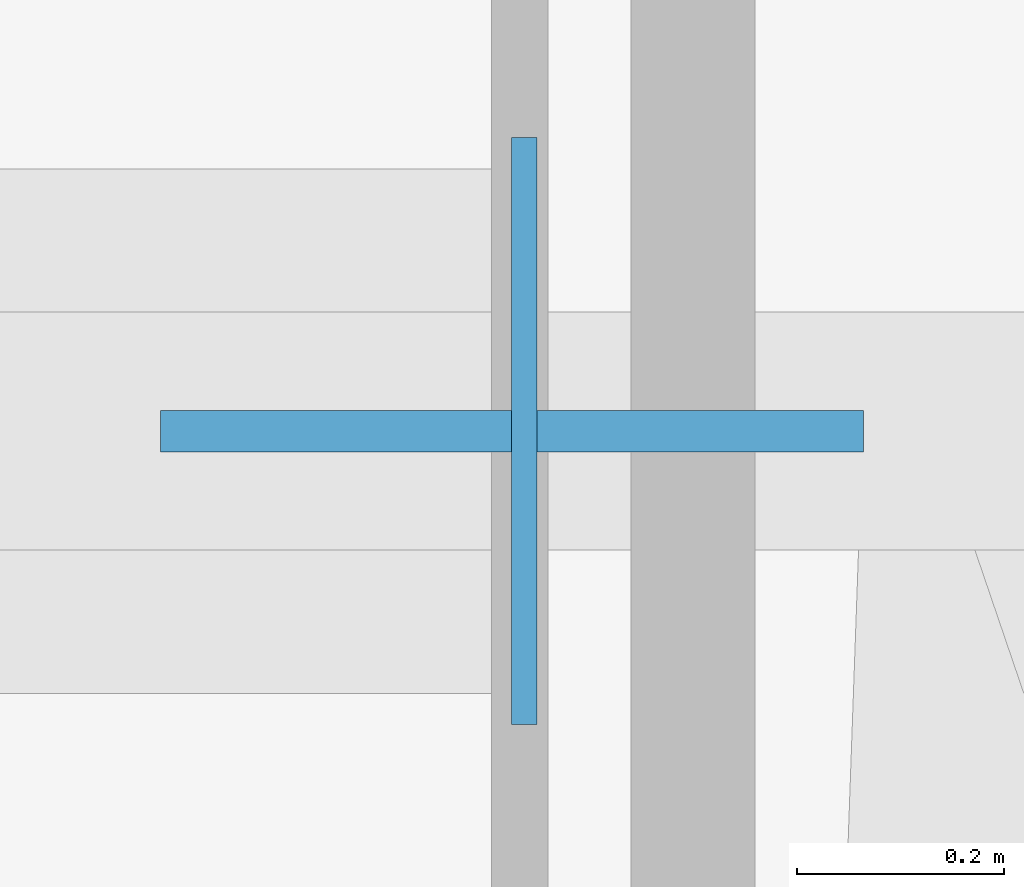
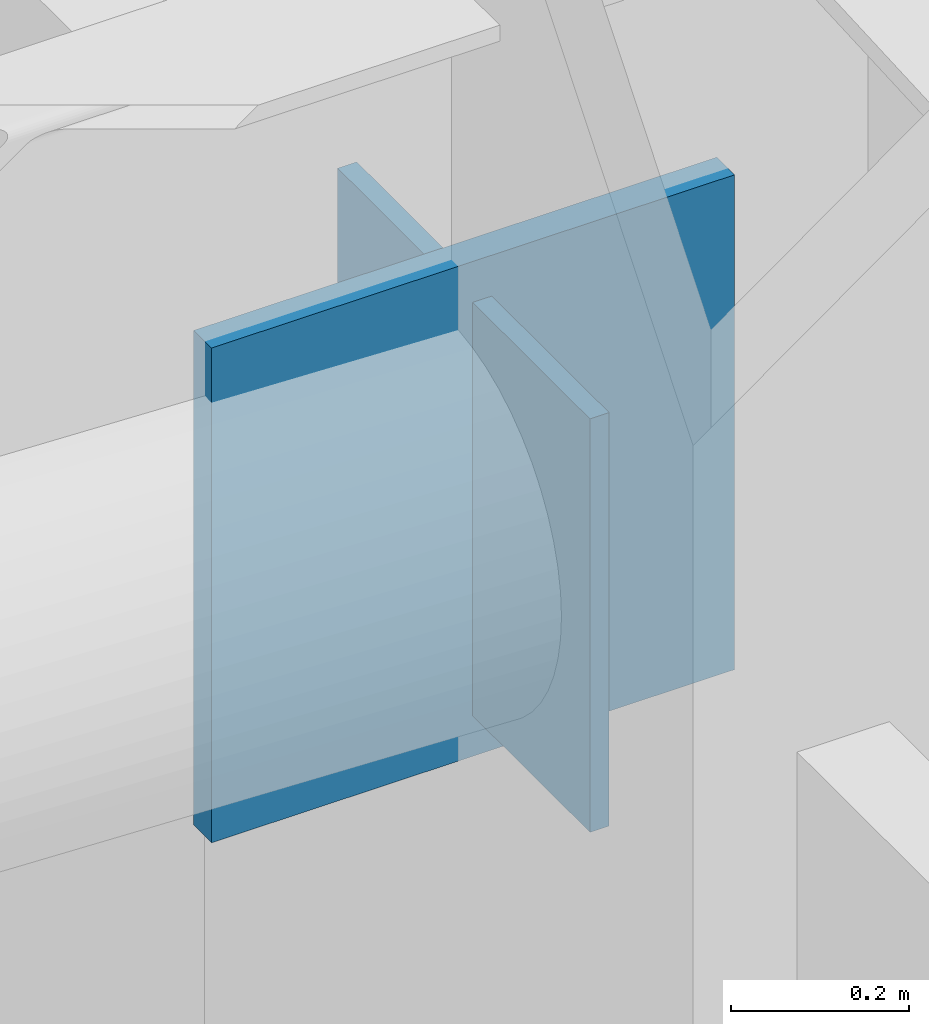
# One storey, part 10 of 18: 2 plates.
"""IFC4 building model written with IfcOpenShell, lengths in metres."""

from ifc_helpers import new_model, si_unit, direction, frame, origin, origin_2d, place, context, subcontext, project, spatial, rectangle, extrude, material, layer, layer_set, type_object, element, save


model = new_model("IFC4")

# Units and contexts
model_context = context("Model", 3, precision=1e-05, world=origin(), true_north=direction((0.0, 1.0)))
body_context = subcontext(model_context, "Body", "Model", "MODEL_VIEW")
ifc_project = project(units=[si_unit("LENGTHUNIT", "METRE"), si_unit("AREAUNIT", "SQUARE_METRE"), si_unit("VOLUMEUNIT", "CUBIC_METRE"), si_unit("PLANEANGLEUNIT", "RADIAN"), si_unit("MASSUNIT", "GRAM", prefix="KILO")], contexts=[model_context])

# Site, building, storey
site_placement = place(None, origin())
site = spatial("IfcSite", under=ifc_project, at=site_placement, CompositionType="ELEMENT")
building_placement = place(site_placement, origin())
building = spatial("IfcBuilding", under=site, at=building_placement, Name="Khamvora Tower", CompositionType="ELEMENT")
storey_placement = place(building_placement, frame((0.0, 0.0, 47.89990234375)))
storey = spatial("IfcBuildingStorey", under=building, at=storey_placement, Name="L11", CompositionType="ELEMENT", Elevation=47.89990234375)

# Plates
ifc_material_1 = material(Name="Steel S355", Category="steel")
ifc_layer_1 = layer(ifc_material_1, 0.02490234375)
ifc_layer_set_1 = layer_set([ifc_layer_1], Name="Steel S355")
plate_type_1 = type_object("IfcPlateType", Name="PL-CAP-25", PredefinedType="SHEET", material=ifc_layer_set_1)
plate_1_placement = place(storey_placement, frame((43.73193359375, 50.800048828125, 2.416015625), z_axis=(0.0, 0.0, 1.0), x_axis=(-1.0, 0.0, 0.0)))
element("IfcPlate", 1, at=plate_1_placement, inside=storey, type_object=plate_type_1, Name="L11 hollow section steel end cap plate 0574", PredefinedType="SHEET", context=body_context, shape_type="SweptSolid", body=[
    extrude(rectangle(XDim=0.02490234375, YDim=0.568115234375, at=origin_2d()), origin(), (0.0, 0.0, 1.0), 0.568115234375),
])
ifc_material_2 = material(Name="Steel S460", Category="steel")
ifc_layer_2 = layer(ifc_material_2, 0.0400390625)
ifc_layer_set_2 = layer_set([ifc_layer_2], Name="Steel S460")
plate_type_2 = type_object("IfcPlateType", Name="PLT-GUS-40", PredefinedType="SHEET", material=ifc_layer_set_2)
plate_2_placement = place(storey_placement, frame((43.719970703125, 50.800048828125, 2.3603515625), z_axis=(0.0, 0.0, 1.0), x_axis=(1.0, 0.0, 0.0)))
element("IfcPlate", 2, at=plate_2_placement, inside=storey, type_object=plate_type_2, Name="L11 brace connection node gusset plate 0091", PredefinedType="SHEET", context=body_context, shape_type="SweptSolid", body=[
    extrude(rectangle(XDim=0.679931640625, YDim=0.0400390625, at=origin_2d()), origin(), (0.0, 0.0, 1.0), 0.679931640625),
])

save(model, "model.ifc")
